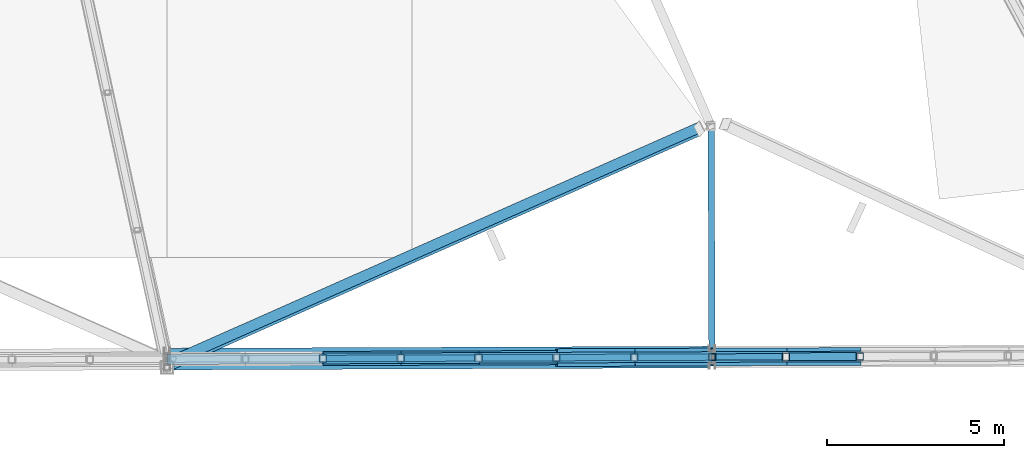
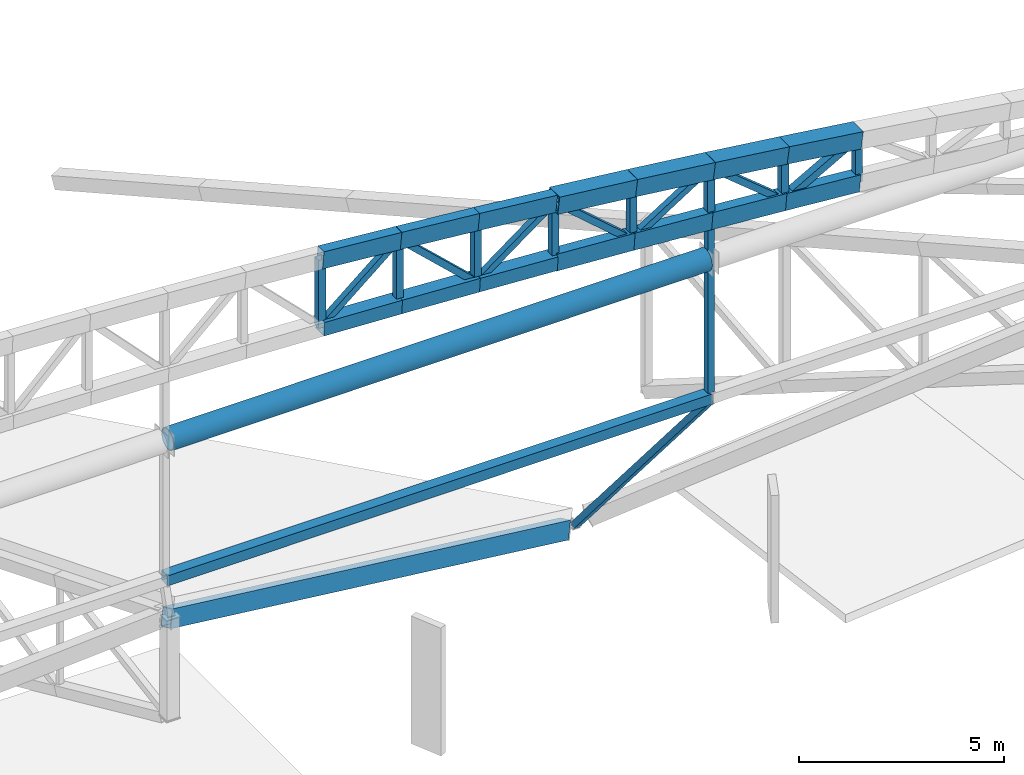
# One storey, part 40 of 188: 33 members, 1 beam.
"""IFC4 building model written with IfcOpenShell, lengths in metres."""

from ifc_helpers import new_model, si_unit, direction, frame, origin, origin_2d, place, context, subcontext, project, spatial, hollow_rectangle, hollow_circle, extrude, material, material_profile, profile_set, type_object, element, save


model = new_model("IFC4")

# Units and contexts
model_context = context("Model", 3, precision=1e-05, world=origin(), true_north=direction((0.0, 1.0)))
body_context = subcontext(model_context, "Body", "Model", "MODEL_VIEW")
ifc_project = project(units=[si_unit("LENGTHUNIT", "METRE"), si_unit("AREAUNIT", "SQUARE_METRE"), si_unit("VOLUMEUNIT", "CUBIC_METRE"), si_unit("PLANEANGLEUNIT", "RADIAN"), si_unit("MASSUNIT", "GRAM", prefix="KILO")], contexts=[model_context])

# Site, building, storey
site_placement = place(None, origin())
site = spatial("IfcSite", under=ifc_project, at=site_placement, CompositionType="ELEMENT")
building_placement = place(site_placement, origin())
building = spatial("IfcBuilding", under=site, at=building_placement, Name="Meseta Stadium", CompositionType="ELEMENT")
storey_placement = place(building_placement, frame((0.0, 0.0, 30.0)))
storey = spatial("IfcBuildingStorey", under=building, at=storey_placement, Name="ROOF", CompositionType="ELEMENT", Elevation=30.0)

# Members
ifc_material_1 = material(Name="Steel S355", Category="steel")
ifc_material_profile_1 = material_profile(ifc_material_1, hollow_circle(Radius=0.304931640625, WallThickness=0.02490234375, at=origin_2d()), Name="CHS 610x25")
ifc_profile_set_1 = profile_set([ifc_material_profile_1], Name="Steel S355")
member_type_1 = type_object("IfcMemberType", Name="CHS 610x25 arch tie", PredefinedType="STRUT", material=ifc_profile_set_1)
member_1_placement = place(storey_placement, frame((23.089111328125, -105.16357421875, 15.550048828125), z_axis=(0.999992611719, 0.003844022167, 0.0), x_axis=(-0.003844022167, 0.999992611719, 0.0)))
element("IfcMember", 1, at=member_1_placement, inside=storey, type_object=member_type_1, Name="GABLE ARCH GA-S tie 05", PredefinedType="STRUT", context=body_context, shape_type="SweptSolid", body=[
    extrude(hollow_circle(Radius=0.304931640625, WallThickness=0.02490234375, at=origin_2d()), origin(), (0.0, 0.0, 1.0), 15.17919921875),
])
ifc_material_2 = material(Name="Steel S355", Category="steel")
ifc_material_profile_2 = material_profile(ifc_material_2, hollow_rectangle(XDim=0.300048828125, YDim=0.5, WallThickness=0.01611328125, at=origin_2d()), Name="RHS 500x300x16")
ifc_profile_set_2 = profile_set([ifc_material_profile_2], Name="Steel S355")
member_type_2 = type_object("IfcMemberType", Name="RHS 500x300x16 arch bottom chord", PredefinedType="CHORD", material=ifc_profile_set_2)
member_2_placement = place(storey_placement, frame((33.969970703125, -105.121826171875, 17.0498046875), z_axis=(0.997704328769, 0.003885573774, -0.067608983668), x_axis=(-0.003894484764, 0.999992416465, 0.0)))
element("IfcMember", 2, at=member_2_placement, inside=storey, type_object=member_type_2, Name="GABLE ARCH GA-S bottom chord", PredefinedType="CHORD", context=body_context, shape_type="SweptSolid", body=[
    extrude(hollow_rectangle(XDim=0.300048828125, YDim=0.5, WallThickness=0.01611328125, at=origin_2d()), origin(), (0.0, 0.0, 1.0), 2.19921875),
])
member_3_placement = place(storey_placement, frame((36.1640625, -105.11328125, 16.901123046875), z_axis=(0.997291451139, 0.003772575583, -0.07345426576), x_axis=(-0.003782794475, 0.999992845207, 0.0)))
element("IfcMember", 3, at=member_3_placement, inside=storey, type_object=member_type_2, Name="GABLE ARCH GA-S bottom chord", PredefinedType="CHORD", context=body_context, shape_type="SweptSolid", body=[
    extrude(hollow_rectangle(XDim=0.300048828125, YDim=0.5, WallThickness=0.01611328125, at=origin_2d()), origin(), (0.0, 0.0, 1.0), 2.2001953125),
])
member_4_placement = place(storey_placement, frame((38.3583984375, -105.10498046875, 16.739501953125), z_axis=(0.996825304627, 0.003853706075, -0.079526479903), x_axis=(-0.003865950492, 0.999992527185, 0.0)))
element("IfcMember", 4, at=member_4_placement, inside=storey, type_object=member_type_2, Name="GABLE ARCH GA-S bottom chord", PredefinedType="CHORD", context=body_context, shape_type="SweptSolid", body=[
    extrude(hollow_rectangle(XDim=0.300048828125, YDim=0.5, WallThickness=0.01611328125, at=origin_2d()), origin(), (0.0, 0.0, 1.0), 2.090576171875),
])
member_5_placement = place(storey_placement, frame((40.4423828125, -105.096923828125, 16.5732421875), z_axis=(0.996346632817, 0.003851404344, -0.085314441676), x_axis=(-0.003865497652, 0.999992528936, 0.0)))
element("IfcMember", 5, at=member_5_placement, inside=storey, type_object=member_type_2, Name="GABLE ARCH GA-S bottom chord", PredefinedType="CHORD", context=body_context, shape_type="SweptSolid", body=[
    extrude(hollow_rectangle(XDim=0.300048828125, YDim=0.5, WallThickness=0.01611328125, at=origin_2d()), origin(), (0.0, 0.0, 1.0), 2.091796875),
])
ifc_material_3 = material(Name="Steel S355", Category="steel")
ifc_material_profile_3 = material_profile(ifc_material_3, hollow_rectangle(XDim=0.300048828125, YDim=0.5, WallThickness=0.01611328125, at=origin_2d()), Name="RHS 500x300x16")
ifc_profile_set_3 = profile_set([ifc_material_profile_3], Name="Steel S355")
member_type_3 = type_object("IfcMemberType", Name="RHS 500x300x16 arch top chord", PredefinedType="CHORD", material=ifc_profile_set_3)
member_6_placement = place(storey_placement, frame((27.387451171875, -105.147216796875, 19.436279296875), z_axis=(0.996151129024, 0.003879524815, -0.087566417261), x_axis=(-0.003894484764, 0.999992416465, 0.0)))
element("IfcMember", 6, at=member_6_placement, inside=storey, type_object=member_type_3, Name="GABLE ARCH GA-S top chord", PredefinedType="CHORD", context=body_context, shape_type="SweptSolid", body=[
    extrude(hollow_rectangle(XDim=0.300048828125, YDim=0.5, WallThickness=0.01611328125, at=origin_2d()), origin(), (0.0, 0.0, 1.0), 2.20263671875),
])
member_7_placement = place(storey_placement, frame((29.58154296875, -105.138671875, 19.243408203125), z_axis=(0.995372708355, 0.003765317321, -0.096015591694), x_axis=(-0.003782794475, 0.999992845207, 0.0)))
element("IfcMember", 7, at=member_7_placement, inside=storey, type_object=member_type_3, Name="GABLE ARCH GA-S top chord", PredefinedType="CHORD", context=body_context, shape_type="SweptSolid", body=[
    extrude(hollow_rectangle(XDim=0.300048828125, YDim=0.5, WallThickness=0.01611328125, at=origin_2d()), origin(), (0.0, 0.0, 1.0), 2.20458984375),
])
member_8_placement = place(storey_placement, frame((31.77587890625, -105.13037109375, 19.03173828125), z_axis=(0.994543981687, 0.003873265757, -0.104246181234), x_axis=(-0.003894484764, 0.999992416465, 0.0)))
element("IfcMember", 8, at=member_8_placement, inside=storey, type_object=member_type_3, Name="GABLE ARCH GA-S top chord", PredefinedType="CHORD", context=body_context, shape_type="SweptSolid", body=[
    extrude(hollow_rectangle(XDim=0.300048828125, YDim=0.5, WallThickness=0.01611328125, at=origin_2d()), origin(), (0.0, 0.0, 1.0), 2.2060546875),
])

# Beam
ifc_material_4 = material(Name="Steel S355", Category="steel")
ifc_material_profile_4 = material_profile(ifc_material_4, hollow_rectangle(XDim=0.300048828125, YDim=0.5, WallThickness=0.01611328125, at=origin_2d()), Name="RHS 500x300x16")
ifc_profile_set_4 = profile_set([ifc_material_profile_4], Name="Steel S355")
beam_type = type_object("IfcBeamType", Name="RHS 500x300x16 rim ring beam", PredefinedType="BEAM", material=ifc_profile_set_4)
beam_placement = place(storey_placement, frame((22.952392578125, -105.348876953125, 10.398193359375), z_axis=(0.847168236299, 0.375703326713, -0.375703326713), x_axis=(-0.45223806708, 0.881046783312, -0.138698580742)))
element("IfcBeam", 9, at=beam_placement, inside=storey, type_object=beam_type, Name="RIM RING BEAM 49", PredefinedType="BEAM", context=body_context, shape_type="SweptSolid", body=[
    extrude(hollow_rectangle(XDim=0.300048828125, YDim=0.5, WallThickness=0.01611328125, at=origin_2d()), origin(), (0.0, 0.0, 1.0), 17.75439453125),
])

# Members
ifc_material_5 = material(Name="Steel S355", Category="steel")
ifc_material_profile_5 = material_profile(ifc_material_5, hollow_rectangle(XDim=0.179931640625, YDim=0.179931640625, WallThickness=0.00634765625, at=origin_2d()), Name="SHS 180x180x6.3")
ifc_profile_set_5 = profile_set([ifc_material_profile_5], Name="Steel S355")
member_type_4 = type_object("IfcMemberType", Name="SHS 180x180x6.3 arch diagonal", PredefinedType="BRACE", material=ifc_profile_set_5)
member_9_placement = place(storey_placement, frame((27.387451171875, -105.147216796875, 17.419677734375), z_axis=(0.769023833393, 0.002994974315, 0.639213089512), x_axis=(-0.003894484764, 0.999992416465, 0.0)))
element("IfcMember", 10, at=member_9_placement, inside=storey, type_object=member_type_4, Name="GABLE ARCH GA-S diagonal", PredefinedType="BRACE", context=body_context, shape_type="SweptSolid", body=[
    extrude(hollow_rectangle(XDim=0.179931640625, YDim=0.179931640625, WallThickness=0.00634765625, at=origin_2d()), origin(), (0.0, 0.0, 1.0), 2.85302734375),
])
member_10_placement = place(storey_placement, frame((29.58154296875, -105.138671875, 19.243408203125), z_axis=(0.729423060833, 0.002759277266, -0.684057296368), x_axis=(-0.003782794475, 0.999992845207, 0.0)))
element("IfcMember", 11, at=member_10_placement, inside=storey, type_object=member_type_4, Name="GABLE ARCH GA-S diagonal", PredefinedType="BRACE", context=body_context, shape_type="SweptSolid", body=[
    extrude(hollow_rectangle(XDim=0.179931640625, YDim=0.179931640625, WallThickness=0.00634765625, at=origin_2d()), origin(), (0.0, 0.0, 1.0), 3.00830078125),
])
member_11_placement = place(storey_placement, frame((31.77587890625, -105.13037109375, 17.185546875), z_axis=(0.805137439336, 0.00313561927, 0.593079987583), x_axis=(-0.003894484764, 0.999992416465, 0.0)))
element("IfcMember", 12, at=member_11_placement, inside=storey, type_object=member_type_4, Name="GABLE ARCH GA-S diagonal", PredefinedType="BRACE", context=body_context, shape_type="SweptSolid", body=[
    extrude(hollow_rectangle(XDim=0.179931640625, YDim=0.179931640625, WallThickness=0.00634765625, at=origin_2d()), origin(), (0.0, 0.0, 1.0), 2.72509765625),
])
member_12_placement = place(storey_placement, frame((33.969970703125, -105.121826171875, 18.8017578125), z_axis=(0.755841187477, 0.002943634312, -0.65474837482), x_axis=(-0.003894484764, 0.999992416465, 0.0)))
element("IfcMember", 13, at=member_12_placement, inside=storey, type_object=member_type_4, Name="GABLE ARCH GA-S diagonal", PredefinedType="BRACE", context=body_context, shape_type="SweptSolid", body=[
    extrude(hollow_rectangle(XDim=0.179931640625, YDim=0.179931640625, WallThickness=0.00634765625, at=origin_2d()), origin(), (0.0, 0.0, 1.0), 2.90283203125),
])
member_13_placement = place(storey_placement, frame((36.1640625, -105.11328125, 16.901123046875), z_axis=(0.845299041791, 0.003197615423, 0.534283918159), x_axis=(-0.003782794475, 0.999992845207, 0.0)))
element("IfcMember", 14, at=member_13_placement, inside=storey, type_object=member_type_4, Name="GABLE ARCH GA-S diagonal", PredefinedType="BRACE", context=body_context, shape_type="SweptSolid", body=[
    extrude(hollow_rectangle(XDim=0.179931640625, YDim=0.179931640625, WallThickness=0.00634765625, at=origin_2d()), origin(), (0.0, 0.0, 1.0), 2.595947265625),
])
member_14_placement = place(storey_placement, frame((38.3583984375, -105.10498046875, 18.2880859375), z_axis=(0.772177416353, 0.00298522197, -0.635399973344), x_axis=(-0.003865950492, 0.999992527185, 0.0)))
element("IfcMember", 15, at=member_14_placement, inside=storey, type_object=member_type_4, Name="GABLE ARCH GA-S diagonal", PredefinedType="BRACE", context=body_context, shape_type="SweptSolid", body=[
    extrude(hollow_rectangle(XDim=0.179931640625, YDim=0.179931640625, WallThickness=0.00634765625, at=origin_2d()), origin(), (0.0, 0.0, 1.0), 2.69873046875),
])
ifc_material_6 = material(Name="Steel S355", Category="steel")
ifc_material_profile_6 = material_profile(ifc_material_6, hollow_rectangle(XDim=0.179931640625, YDim=0.179931640625, WallThickness=0.00634765625, at=origin_2d()), Name="SHS 180x180x6.3")
ifc_profile_set_6 = profile_set([ifc_material_profile_6], Name="Steel S355")
member_type_5 = type_object("IfcMemberType", Name="SHS 180x180x6.3 hanger", PredefinedType="STRUT", material=ifc_profile_set_6)
member_15_placement = place(storey_placement, frame((38.3583984375, -105.10498046875, 16.739501953125), z_axis=(0.0, 0.0, -1.0), x_axis=(1.0, 0.0, 0.0)))
element("IfcMember", 16, at=member_15_placement, inside=storey, type_object=member_type_5, Name="GABLE ARCH GA-S hanger RT-49", PredefinedType="STRUT", context=body_context, shape_type="SweptSolid", body=[
    extrude(hollow_rectangle(XDim=0.179931640625, YDim=0.179931640625, WallThickness=0.00634765625, at=origin_2d()), origin(), (0.0, 0.0, 1.0), 5.139404296875),
])
member_16_placement = place(storey_placement, frame((38.3583984375, -105.10498046875, 11.300048828125), z_axis=(-0.002509508099, 0.64915858043, -0.760648959654), x_axis=(-0.999992527933, -0.003865757033, 0.0)))
element("IfcMember", 17, at=member_16_placement, inside=storey, type_object=member_type_5, Name="GABLE ARCH GA-S hanger RT-49", PredefinedType="STRUT", context=body_context, shape_type="SweptSolid", body=[
    extrude(hollow_rectangle(XDim=0.179931640625, YDim=0.179931640625, WallThickness=0.00634765625, at=origin_2d()), origin(), (0.0, 0.0, 1.0), 10.0205078125),
])
ifc_material_7 = material(Name="Steel S355", Category="steel")
ifc_material_profile_7 = material_profile(ifc_material_7, hollow_rectangle(XDim=0.199951171875, YDim=0.199951171875, WallThickness=0.008056640625, at=origin_2d()), Name="SHS 200x200x8")
ifc_profile_set_7 = profile_set([ifc_material_profile_7], Name="Steel S355")
member_type_6 = type_object("IfcMemberType", Name="SHS 200x200x8 arch vertical", PredefinedType="POST", material=ifc_profile_set_7)
member_17_placement = place(storey_placement, frame((27.387451171875, -105.147216796875, 17.419677734375), z_axis=(0.0, 0.0, 1.0), x_axis=(1.0, 0.0, 0.0)))
element("IfcMember", 18, at=member_17_placement, inside=storey, type_object=member_type_6, Name="GABLE ARCH GA-S vertical", PredefinedType="POST", context=body_context, shape_type="SweptSolid", body=[
    extrude(hollow_rectangle(XDim=0.199951171875, YDim=0.199951171875, WallThickness=0.008056640625, at=origin_2d()), origin(), (0.0, 0.0, 1.0), 2.0166015625),
])
member_18_placement = place(storey_placement, frame((29.58154296875, -105.138671875, 17.308837890625), z_axis=(0.0, 0.0, 1.0), x_axis=(1.0, 0.0, 0.0)))
element("IfcMember", 19, at=member_18_placement, inside=storey, type_object=member_type_6, Name="GABLE ARCH GA-S vertical", PredefinedType="POST", context=body_context, shape_type="SweptSolid", body=[
    extrude(hollow_rectangle(XDim=0.199951171875, YDim=0.199951171875, WallThickness=0.008056640625, at=origin_2d()), origin(), (0.0, 0.0, 1.0), 1.9345703125),
])
member_19_placement = place(storey_placement, frame((31.77587890625, -105.13037109375, 17.185546875), z_axis=(0.0, 0.0, 1.0), x_axis=(1.0, 0.0, 0.0)))
element("IfcMember", 20, at=member_19_placement, inside=storey, type_object=member_type_6, Name="GABLE ARCH GA-S vertical", PredefinedType="POST", context=body_context, shape_type="SweptSolid", body=[
    extrude(hollow_rectangle(XDim=0.199951171875, YDim=0.199951171875, WallThickness=0.008056640625, at=origin_2d()), origin(), (0.0, 0.0, 1.0), 1.84619140625),
])
member_20_placement = place(storey_placement, frame((33.969970703125, -105.121826171875, 17.0498046875), z_axis=(0.0, 0.0, 1.0), x_axis=(1.0, 0.0, 0.0)))
element("IfcMember", 21, at=member_20_placement, inside=storey, type_object=member_type_6, Name="GABLE ARCH GA-S vertical", PredefinedType="POST", context=body_context, shape_type="SweptSolid", body=[
    extrude(hollow_rectangle(XDim=0.199951171875, YDim=0.199951171875, WallThickness=0.008056640625, at=origin_2d()), origin(), (0.0, 0.0, 1.0), 1.751953125),
])
member_21_placement = place(storey_placement, frame((36.1640625, -105.11328125, 16.901123046875), z_axis=(0.0, 0.0, 1.0), x_axis=(1.0, 0.0, 0.0)))
element("IfcMember", 22, at=member_21_placement, inside=storey, type_object=member_type_6, Name="GABLE ARCH GA-S vertical", PredefinedType="POST", context=body_context, shape_type="SweptSolid", body=[
    extrude(hollow_rectangle(XDim=0.199951171875, YDim=0.199951171875, WallThickness=0.008056640625, at=origin_2d()), origin(), (0.0, 0.0, 1.0), 1.652587890625),
])
member_22_placement = place(storey_placement, frame((38.3583984375, -105.10498046875, 16.739501953125), z_axis=(0.0, 0.0, 1.0), x_axis=(1.0, 0.0, 0.0)))
element("IfcMember", 23, at=member_22_placement, inside=storey, type_object=member_type_6, Name="GABLE ARCH GA-S vertical", PredefinedType="POST", context=body_context, shape_type="SweptSolid", body=[
    extrude(hollow_rectangle(XDim=0.199951171875, YDim=0.199951171875, WallThickness=0.008056640625, at=origin_2d()), origin(), (0.0, 0.0, 1.0), 1.548583984375),
])
member_23_placement = place(storey_placement, frame((40.4423828125, -105.096923828125, 16.5732421875), z_axis=(0.0, 0.0, 1.0), x_axis=(1.0, 0.0, 0.0)))
element("IfcMember", 24, at=member_23_placement, inside=storey, type_object=member_type_6, Name="GABLE ARCH GA-S vertical", PredefinedType="POST", context=body_context, shape_type="SweptSolid", body=[
    extrude(hollow_rectangle(XDim=0.199951171875, YDim=0.199951171875, WallThickness=0.008056640625, at=origin_2d()), origin(), (0.0, 0.0, 1.0), 1.446044921875),
])
member_24_placement = place(storey_placement, frame((42.526611328125, -105.0888671875, 16.394775390625), z_axis=(0.0, 0.0, 1.0), x_axis=(1.0, 0.0, 0.0)))
element("IfcMember", 25, at=member_24_placement, inside=storey, type_object=member_type_6, Name="GABLE ARCH GA-S vertical", PredefinedType="POST", context=body_context, shape_type="SweptSolid", body=[
    extrude(hollow_rectangle(XDim=0.199951171875, YDim=0.199951171875, WallThickness=0.008056640625, at=origin_2d()), origin(), (0.0, 0.0, 1.0), 1.34033203125),
])
ifc_material_8 = material(Name="Steel S355", Category="steel")
ifc_material_profile_8 = material_profile(ifc_material_8, hollow_rectangle(XDim=0.219970703125, YDim=0.219970703125, WallThickness=0.008056640625, at=origin_2d()), Name="SHS 220x220x8")
ifc_profile_set_8 = profile_set([ifc_material_profile_8], Name="Steel S355")
member_type_7 = type_object("IfcMemberType", Name="SHS 220x220x8 arch diagonal", PredefinedType="BRACE", material=ifc_profile_set_8)
member_25_placement = place(storey_placement, frame((40.4423828125, -105.096923828125, 16.5732421875), z_axis=(0.873446764554, 0.003376331642, 0.486907948051), x_axis=(-0.003865497652, 0.999992528936, 0.0)))
element("IfcMember", 26, at=member_25_placement, inside=storey, type_object=member_type_7, Name="GABLE ARCH GA-S diagonal", PredefinedType="BRACE", context=body_context, shape_type="SweptSolid", body=[
    extrude(hollow_rectangle(XDim=0.219970703125, YDim=0.219970703125, WallThickness=0.008056640625, at=origin_2d()), origin(), (0.0, 0.0, 1.0), 2.38623046875),
])
ifc_material_9 = material(Name="Steel S355", Category="steel")
ifc_material_profile_9 = material_profile(ifc_material_9, hollow_rectangle(XDim=0.300048828125, YDim=0.300048828125, WallThickness=0.010009765625, at=origin_2d()), Name="SHS 300x300x10")
ifc_profile_set_9 = profile_set([ifc_material_profile_9], Name="Steel S355")
member_type_8 = type_object("IfcMemberType", Name="SHS 300x300x10 arch sill", PredefinedType="STRUT", material=ifc_profile_set_9)
member_26_placement = place(storey_placement, frame((22.9990234375, -105.1640625, 11.449951171875), z_axis=(0.999992601751, 0.003846614471, 0.0), x_axis=(-0.003846614471, 0.999992601751, 0.0)))
element("IfcMember", 27, at=member_26_placement, inside=storey, type_object=member_type_8, Name="GABLE ARCH GA-S sill beam 05", PredefinedType="STRUT", context=body_context, shape_type="SweptSolid", body=[
    extrude(hollow_rectangle(XDim=0.300048828125, YDim=0.300048828125, WallThickness=0.010009765625, at=origin_2d()), origin(), (0.0, 0.0, 1.0), 15.359375),
])
ifc_material_10 = material(Name="Steel S355", Category="steel")
ifc_material_profile_10 = material_profile(ifc_material_10, hollow_rectangle(XDim=0.39990234375, YDim=0.39990234375, WallThickness=0.01416015625, at=origin_2d()), Name="SHS 400x400x14.2")
ifc_profile_set_10 = profile_set([ifc_material_profile_10], Name="Steel S355")
member_type_9 = type_object("IfcMemberType", Name="SHS 400x400x14.2 arch bottom chord", PredefinedType="CHORD", material=ifc_profile_set_10)
member_27_placement = place(storey_placement, frame((27.387451171875, -105.147216796875, 17.419677734375), z_axis=(0.998718877941, 0.00388952495, -0.050452695069), x_axis=(-0.003894484764, 0.999992416465, 0.0)))
element("IfcMember", 28, at=member_27_placement, inside=storey, type_object=member_type_9, Name="GABLE ARCH GA-S bottom chord", PredefinedType="CHORD", context=body_context, shape_type="SweptSolid", body=[
    extrude(hollow_rectangle(XDim=0.39990234375, YDim=0.39990234375, WallThickness=0.01416015625, at=origin_2d()), origin(), (0.0, 0.0, 1.0), 2.197021484375),
])
member_28_placement = place(storey_placement, frame((29.58154296875, -105.138671875, 17.308837890625), z_axis=(0.998418171586, 0.003776837765, -0.05609714916), x_axis=(-0.003782794475, 0.999992845207, 0.0)))
element("IfcMember", 29, at=member_28_placement, inside=storey, type_object=member_type_9, Name="GABLE ARCH GA-S bottom chord", PredefinedType="CHORD", context=body_context, shape_type="SweptSolid", body=[
    extrude(hollow_rectangle(XDim=0.39990234375, YDim=0.39990234375, WallThickness=0.01416015625, at=origin_2d()), origin(), (0.0, 0.0, 1.0), 2.19775390625),
])
member_29_placement = place(storey_placement, frame((31.77587890625, -105.13037109375, 17.185546875), z_axis=(0.998084164521, 0.00388705305, -0.061748614162), x_axis=(-0.003894484764, 0.999992416465, 0.0)))
element("IfcMember", 30, at=member_29_placement, inside=storey, type_object=member_type_9, Name="GABLE ARCH GA-S bottom chord", PredefinedType="CHORD", context=body_context, shape_type="SweptSolid", body=[
    extrude(hollow_rectangle(XDim=0.39990234375, YDim=0.39990234375, WallThickness=0.01416015625, at=origin_2d()), origin(), (0.0, 0.0, 1.0), 2.1982421875),
])
ifc_material_11 = material(Name="Steel S355", Category="steel")
ifc_material_profile_11 = material_profile(ifc_material_11, hollow_rectangle(XDim=0.5, YDim=0.5, WallThickness=0.01611328125, at=origin_2d()), Name="SHS 500x500x16")
ifc_profile_set_11 = profile_set([ifc_material_profile_11], Name="Steel S355")
member_type_10 = type_object("IfcMemberType", Name="SHS 500x500x16 arch top chord", PredefinedType="CHORD", material=ifc_profile_set_11)
member_30_placement = place(storey_placement, frame((33.969970703125, -105.121826171875, 18.8017578125), z_axis=(0.993662771713, 0.003869833872, -0.112335748977), x_axis=(-0.003894484764, 0.999992416465, 0.0)))
element("IfcMember", 31, at=member_30_placement, inside=storey, type_object=member_type_10, Name="GABLE ARCH GA-S top chord", PredefinedType="CHORD", context=body_context, shape_type="SweptSolid", body=[
    extrude(hollow_rectangle(XDim=0.5, YDim=0.5, WallThickness=0.01611328125, at=origin_2d()), origin(), (0.0, 0.0, 1.0), 2.2080078125),
])
member_31_placement = place(storey_placement, frame((36.1640625, -105.11328125, 18.5537109375), z_axis=(0.992745960903, 0.003755380804, -0.120172185743), x_axis=(-0.003782794475, 0.999992845207, 0.0)))
element("IfcMember", 32, at=member_31_placement, inside=storey, type_object=member_type_10, Name="GABLE ARCH GA-S top chord", PredefinedType="CHORD", context=body_context, shape_type="SweptSolid", body=[
    extrude(hollow_rectangle(XDim=0.5, YDim=0.5, WallThickness=0.01611328125, at=origin_2d()), origin(), (0.0, 0.0, 1.0), 2.21044921875),
])
member_32_placement = place(storey_placement, frame((38.3583984375, -105.10498046875, 18.2880859375), z_axis=(0.991776759369, 0.003834188503, -0.127922470954), x_axis=(-0.003865950492, 0.999992527185, 0.0)))
element("IfcMember", 33, at=member_32_placement, inside=storey, type_object=member_type_10, Name="GABLE ARCH GA-S top chord", PredefinedType="CHORD", context=body_context, shape_type="SweptSolid", body=[
    extrude(hollow_rectangle(XDim=0.5, YDim=0.5, WallThickness=0.01611328125, at=origin_2d()), origin(), (0.0, 0.0, 1.0), 2.101318359375),
])
member_33_placement = place(storey_placement, frame((40.4423828125, -105.096923828125, 18.019287109375), z_axis=(0.990825019259, 0.0038300604, -0.13509667593), x_axis=(-0.003865497652, 0.999992528936, 0.0)))
element("IfcMember", 34, at=member_33_placement, inside=storey, type_object=member_type_10, Name="GABLE ARCH GA-S top chord", PredefinedType="CHORD", context=body_context, shape_type="SweptSolid", body=[
    extrude(hollow_rectangle(XDim=0.5, YDim=0.5, WallThickness=0.01611328125, at=origin_2d()), origin(), (0.0, 0.0, 1.0), 2.103515625),
])

save(model, "model.ifc")
